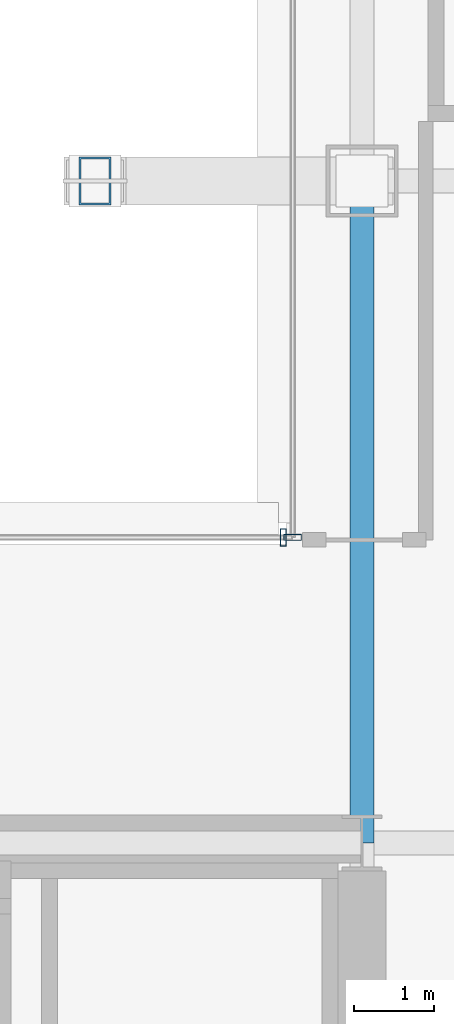
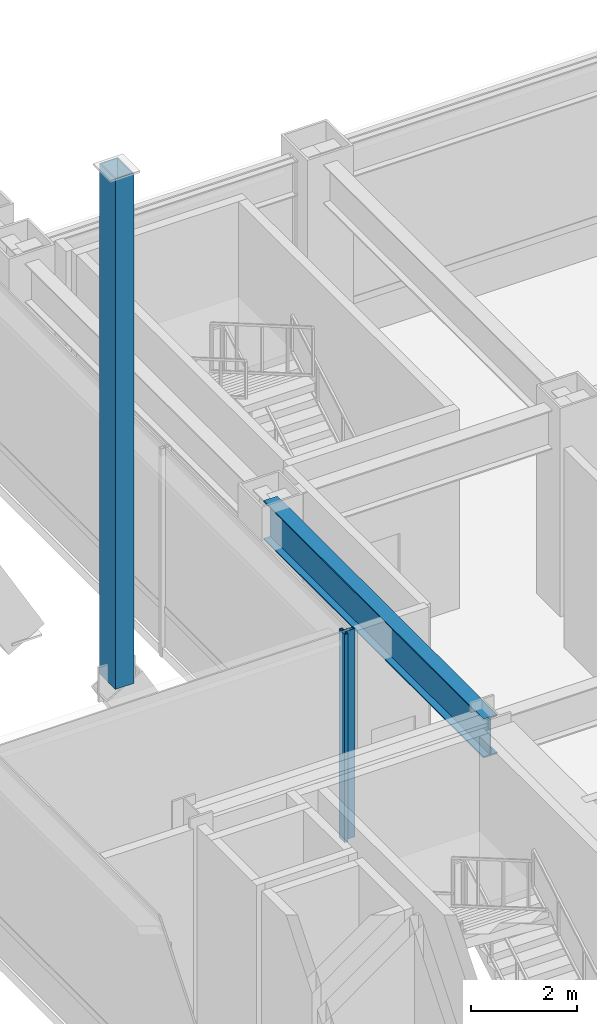
# One storey, part 21 of 40: 3 members, 1 beam, 2 elements without a shape of their own.
"""IFC4 building model written with IfcOpenShell, lengths in metres."""

from ifc_helpers import new_model, si_unit, direction, frame, origin, origin_2d, place, context, subcontext, project, spatial, hollow_rectangle, i_section, extrude, material, layer, layer_set, material_profile, profile_set, type_object, element, aggregate, save


model = new_model("IFC4")

# Units and contexts
model_context = context("Model", 3, precision=1e-05, world=origin(), true_north=direction((0.0, 1.0)))
body_context = subcontext(model_context, "Body", "Model", "MODEL_VIEW")
ifc_project = project(units=[si_unit("LENGTHUNIT", "METRE"), si_unit("AREAUNIT", "SQUARE_METRE"), si_unit("VOLUMEUNIT", "CUBIC_METRE"), si_unit("PLANEANGLEUNIT", "RADIAN"), si_unit("MASSUNIT", "GRAM", prefix="KILO")], contexts=[model_context])

# Site, building, storey
site_placement = place(None, origin())
site = spatial("IfcSite", under=ifc_project, at=site_placement, CompositionType="ELEMENT")
building_placement = place(site_placement, origin())
building = spatial("IfcBuilding", under=site, at=building_placement, Name="Brelmoor Portico Tower", CompositionType="ELEMENT")
storey_placement = place(building_placement, frame((0.0, 0.0, 4.800048828125)))
storey = spatial("IfcBuildingStorey", under=building, at=storey_placement, Name="L01", CompositionType="ELEMENT", Elevation=4.800048828125)

# Beam
ifc_material_1 = material(Name="Steel Q355B", Category="steel")
ifc_material_profile_1 = material_profile(ifc_material_1, i_section(OverallWidth=0.300048828125, OverallDepth=0.89990234375, WebThickness=0.01611328125, FlangeThickness=0.028076171875, at=origin_2d()), Name="HN 900x300x16x28")
ifc_profile_set_1 = profile_set([ifc_material_profile_1], Name="Steel Q355B")
beam_type = type_object("IfcBeamType", Name="BM-PG-900", PredefinedType="BEAM", material=ifc_profile_set_1)
beam_placement = place(storey_placement, frame((14.550048828125, 9.75, 4.1298828125), z_axis=(0.0, 1.0, 0.0), x_axis=(-1.0, 0.0, 0.0)))
element("IfcBeam", 1, at=beam_placement, inside=storey, type_object=beam_type, Name="L01 Primary Floor Girder PG-16", PredefinedType="BEAM", context=body_context, shape_type="SweptSolid", body=[
    extrude(i_section(OverallWidth=0.300048828125, OverallDepth=0.89990234375, WebThickness=0.01611328125, FlangeThickness=0.028076171875, at=origin_2d()), origin(), (0.0, 0.0, 1.0), 8.300048828125),
])

# Member
ifc_material_profile_2 = material_profile(ifc_material_1, hollow_rectangle(XDim=0.39990234375, YDim=0.60009765625, WallThickness=0.02392578125, at=origin_2d()), Name="RHS 400x600x24")
ifc_profile_set_2 = profile_set([ifc_material_profile_2], Name="Steel Q355B")
member_type_1 = type_object("IfcMemberType", Name="MB-ARCH-STRUT", PredefinedType="BRACE", material=ifc_profile_set_2)
member_1_placement = place(storey_placement, frame((11.199951171875, 18.050048828125, 1.599853515625), z_axis=(0.0, 0.0, 1.0), x_axis=(1.0, 0.0, 0.0)))
element("IfcMember", 2, at=member_1_placement, inside=storey, type_object=member_type_1, Name="Portico Arch Spandrel Strut N2-6", PredefinedType="BRACE", context=body_context, shape_type="SweptSolid", body=[
    extrude(hollow_rectangle(XDim=0.39990234375, YDim=0.60009765625, WallThickness=0.02392578125, at=origin_2d()), origin(), (0.0, 0.0, 1.0), 11.755126953125),
])

# Curtain wall, member
ifc_material_2 = material(Name="Anodised Aluminium Alloy 6063-T6", Category="aluminium")
ifc_layer = layer(ifc_material_2, 0.179931640625)
ifc_layer_set = layer_set([ifc_layer], Name="Anodised Aluminium Alloy 6063-T6")
curtain_wall_type = type_object("IfcCurtainWallType", Name="CW-PODIUM-ARCH", PredefinedType="NOTDEFINED", material=ifc_layer_set)
curtain_wall_1_placement = place(storey_placement, origin())
curtain_wall_1 = element("IfcCurtainWall", 3, at=curtain_wall_1_placement, inside=storey, type_object=curtain_wall_type, Name="L01 Curtain Wall CW-L01-10", PredefinedType="NOTDEFINED")
ifc_material_profile_3 = material_profile(ifc_material_2, hollow_rectangle(XDim=0.074951171875, YDim=0.219970703125, WallThickness=0.0048828125, at=origin_2d()), Name="ALU MULLION 75x220")
ifc_profile_set_3 = profile_set([ifc_material_profile_3], Name="Anodised Aluminium Alloy 6063-T6")
member_type_2 = type_object("IfcMemberType", Name="MB-CW-MULL-220", PredefinedType="MULLION", material=ifc_profile_set_3)
member_2_placement = place(storey_placement, frame((13.679931640625, 13.580078125, -0.219970703125), z_axis=(0.0, 0.0, 1.0), x_axis=(0.0, 1.0, 0.0)))
member_2 = element("IfcMember", 4, at=member_2_placement, type_object=member_type_2, Name="CW-L01-10 Mullion 00", PredefinedType="MULLION", context=body_context, shape_type="SweptSolid", body=[
    extrude(hollow_rectangle(XDim=0.074951171875, YDim=0.219970703125, WallThickness=0.0048828125, at=origin_2d()), origin(), (0.0, 0.0, 1.0), 4.7998046875),
])
aggregate(curtain_wall_1, [member_2])

curtain_wall_2_placement = place(storey_placement, origin())
curtain_wall_2 = element("IfcCurtainWall", 5, at=curtain_wall_2_placement, inside=storey, type_object=curtain_wall_type, Name="L01 Curtain Wall CW-L01-14", PredefinedType="NOTDEFINED")
member_3_placement = place(storey_placement, frame((13.56005859375, 13.580078125, -0.219970703125), z_axis=(0.0, 0.0, 1.0), x_axis=(1.0, 0.0, 0.0)))
member_3 = element("IfcMember", 6, at=member_3_placement, type_object=member_type_2, Name="CW-L01-14 Mullion 01", PredefinedType="MULLION", context=body_context, shape_type="SweptSolid", body=[
    extrude(hollow_rectangle(XDim=0.074951171875, YDim=0.219970703125, WallThickness=0.0048828125, at=origin_2d()), origin(), (0.0, 0.0, 1.0), 4.7998046875),
])
aggregate(curtain_wall_2, [member_3])

save(model, "model.ifc")
